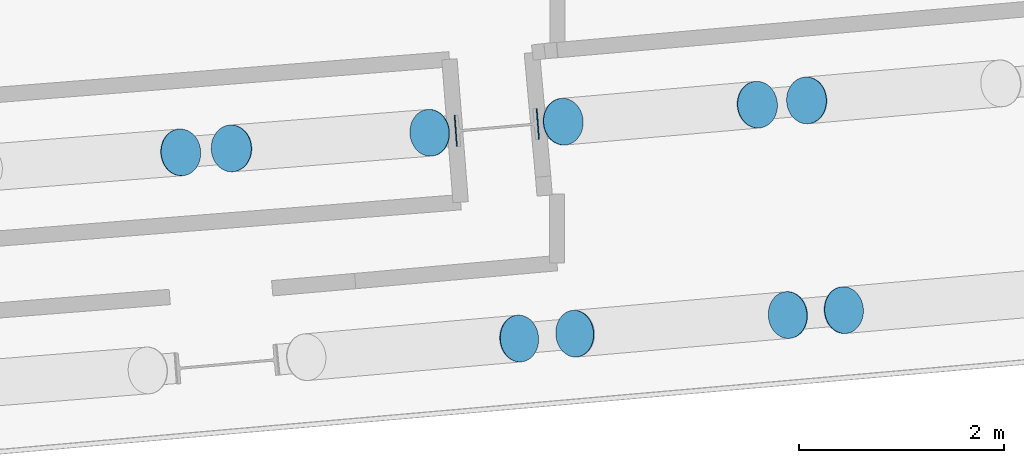
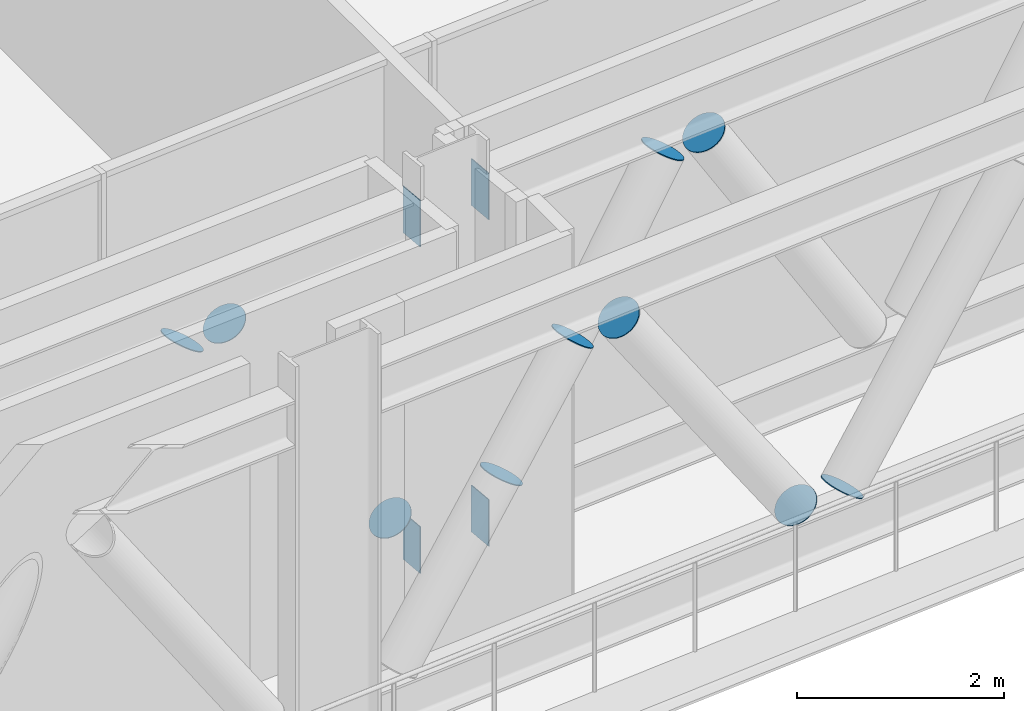
# One storey, part 29 of 39: 14 discrete accessories.
"""IFC4 building model written with IfcOpenShell, lengths in metres."""

from ifc_helpers import new_model, si_unit, direction, frame, origin, origin_2d, place, context, subcontext, project, spatial, rectangle, circle, extrude, material, material_profile, profile_set, type_object, element, save


model = new_model("IFC4")

# Units and contexts
model_context = context("Model", 3, precision=1e-05, world=origin(), true_north=direction((0.0, 1.0)))
body_context = subcontext(model_context, "Body", "Model", "MODEL_VIEW")
ifc_project = project(units=[si_unit("LENGTHUNIT", "METRE"), si_unit("AREAUNIT", "SQUARE_METRE"), si_unit("VOLUMEUNIT", "CUBIC_METRE"), si_unit("PLANEANGLEUNIT", "RADIAN"), si_unit("MASSUNIT", "GRAM", prefix="KILO")], contexts=[model_context])

# Site, building, storey
site_placement = place(None, origin())
site = spatial("IfcSite", under=ifc_project, at=site_placement, CompositionType="ELEMENT")
building_placement = place(site_placement, origin())
building = spatial("IfcBuilding", under=site, at=building_placement, Name="Wharfspan Tower", CompositionType="ELEMENT")
storey_placement = place(building_placement, frame((0.0, 0.0, 91.899902)))
storey = spatial("IfcBuildingStorey", under=building, at=storey_placement, Name="L20", CompositionType="ELEMENT", Elevation=91.899902)

# Discrete accessories
ifc_material_1 = material(Name="Steel S460NH", Category="steel")
ifc_material_profile_1 = material_profile(ifc_material_1, circle(Radius=0.228516, at=origin_2d()))
ifc_profile_set_1 = profile_set([ifc_material_profile_1], Name="Steel S460NH")
discrete_accessory_type_1 = type_object("IfcDiscreteAccessoryType", Name="End plate CHS 457x16", PredefinedType="BRACKET", material=ifc_profile_set_1)
for number, where, z_axis, x_axis, name in (
    (1, (56.98877, -0.294189, 3.727783), (0.53155, 0.048323, 0.845647), (-0.090535, 0.995897, -1e-06), "End plate CHS 457x16"),
    (2, (57.485596, -0.254883, 3.736328), (0.514341, 0.024492, -0.857236), (-0.047566, 0.998868, -1e-06), "End plate CHS 457x16"),
    (3, (59.421143, -0.102539, 0.672363), (0.54259, 0.049326, -0.838548), (-0.090535, 0.995892, 0.0), "End plate CHS 457x16"),
    (4, (60.722412, 0.005615, 0.662109), (0.53155, 0.048323, 0.845647), (-0.090535, 0.995897, -1e-06), "End plate CHS 457x16"),
):
    element("IfcDiscreteAccessory", number, at=place(storey_placement, frame(where, z_axis=z_axis, x_axis=x_axis)), inside=storey, type_object=discrete_accessory_type_1, Name=name, PredefinedType="BRACKET", context=body_context, shape_type="SweptSolid", body=[
        extrude(circle(Radius=0.228516, at=origin_2d()), origin(), (0.0, 0.0, 1.0), 0.01001),
    ])
for number, where, z_axis, x_axis, name in (
    (5, (62.61792, 0.171387, 3.729736), (0.524836, 0.049984, 0.849734), (-0.094807, 0.995498, -1e-06), "End plate CHS 457x16"),
    (6, (63.101318, 0.213867, 3.738037), (0.525328, 0.025016, -0.850532), (-0.047566, 0.998871, 0.0), "End plate CHS 457x16"),
    (7, (60.293213, -2.111572, 3.721191), (0.571087, 0.04966, 0.819386), (-0.08663, 0.99624, 0.0), "End plate CHS 457x16"),
):
    element("IfcDiscreteAccessory", number, at=place(storey_placement, frame(where, z_axis=z_axis, x_axis=x_axis)), inside=storey, type_object=discrete_accessory_type_1, Name=name, PredefinedType="BRACKET", context=body_context, shape_type="SweptSolid", body=[
        extrude(circle(Radius=0.228516, at=origin_2d()), origin(), (0.0, 0.0, 1.0), 0.009766),
    ])
for number, where, z_axis, x_axis, name in (
    (8, (60.838135, -2.063721, 3.729248), (0.587466, 0.048956, -0.807766), (-0.083046, 0.996542, 0.0), "End plate CHS 457x16"),
    (9, (62.917236, -1.881836, 0.679199), (0.559645, 0.048665, -0.827302), (-0.086627, 0.99624, 2e-06), "End plate CHS 457x16"),
    (10, (63.462158, -1.834229, 0.670898), (0.559645, 0.048665, 0.827302), (-0.086627, 0.99624, -2e-06), "End plate CHS 457x16"),
):
    element("IfcDiscreteAccessory", number, at=place(storey_placement, frame(where, z_axis=z_axis, x_axis=x_axis)), inside=storey, type_object=discrete_accessory_type_1, Name=name, PredefinedType="BRACKET", context=body_context, shape_type="SweptSolid", body=[
        extrude(circle(Radius=0.228516, at=origin_2d()), origin(), (0.0, 0.0, 1.0), 0.01001),
    ])
ifc_material_2 = material(Name="Steel S355J2", Category="steel")
ifc_material_profile_2 = material_profile(ifc_material_2, rectangle(XDim=0.300049, YDim=0.550049, at=origin_2d()))
ifc_profile_set_2 = profile_set([ifc_material_profile_2], Name="Steel S355J2")
discrete_accessory_type_2 = type_object("IfcDiscreteAccessoryType", Name="End plate HEB 550", PredefinedType="BRACKET", material=ifc_profile_set_2)
for number, where, z_axis, x_axis, name in (
    (11, (59.672119, -0.082764, 4.125), (0.997334, 0.072976, 0.0), (-0.072976, 0.997334, 0.0), "End plate HEB 550"),
    (12, (59.672119, -0.082764, 0.275146), (0.997334, 0.072976, 0.0), (-0.072976, 0.997334, 0.0), "End plate HEB 550"),
    (13, (60.473389, -0.016113, 4.125), (0.997334, 0.072976, 0.0), (-0.072976, 0.997334, 0.0), "End plate HEB 550"),
    (14, (60.473389, -0.016113, 0.275146), (0.997334, 0.072976, 0.0), (-0.072976, 0.997334, 0.0), "End plate HEB 550"),
):
    element("IfcDiscreteAccessory", number, at=place(storey_placement, frame(where, z_axis=z_axis, x_axis=x_axis)), inside=storey, type_object=discrete_accessory_type_2, Name=name, PredefinedType="BRACKET", context=body_context, shape_type="SweptSolid", body=[
        extrude(rectangle(XDim=0.300049, YDim=0.550049, at=origin_2d()), origin(), (0.0, 0.0, 1.0), 0.01001),
    ])

save(model, "model.ifc")
